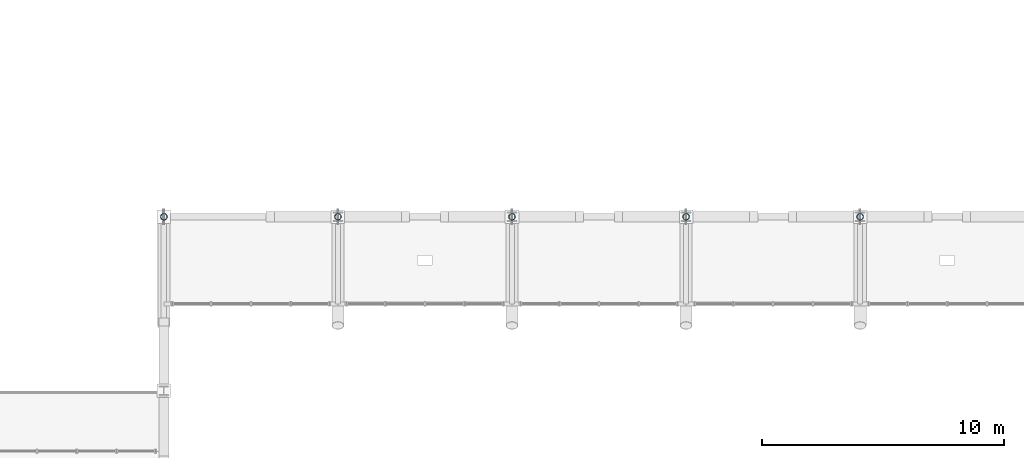
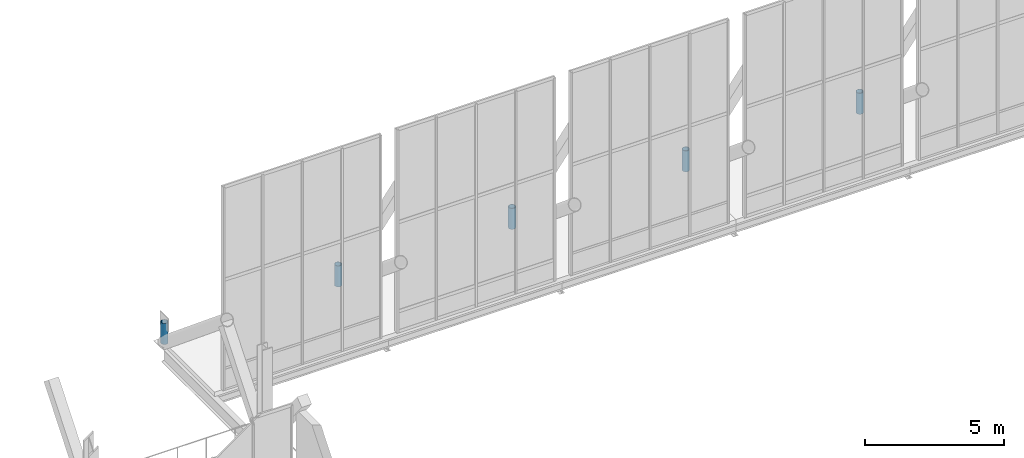
# One storey, part 70 of 102: 5 members.
"""IFC4 building model written with IfcOpenShell, lengths in metres."""

import ifcopenshell
import ifcopenshell.guid

model = None  # the IFC model being written
_history = None  # IfcOwnerHistory: only IFC2X3 demands one
_inside = {}  # id of a spatial element -> (the spatial element, [elements in it])
_under = {}  # id of a project, library or spatial element -> (it, [spatial elements below it])
_declared = {}  # id of a project -> (the project, [libraries it declares])
_typed = {}  # id of a type object -> (the type object, [elements of that type])
_made_of = {}  # id of a material, layer set ... -> (it, [elements and type objects made of it])


def new_model(schema):
    """Start an empty IFC model of exactly this schema.

    Asked for "IFC4X3", IfcOpenShell would pick the latest addendum, in which some entities
    have other attributes; the version numbers below select the first issue.
    IFC2X3 requires an IfcOwnerHistory on every rooted entity: one is made here for all.
    """
    global model, _history
    if schema == "IFC4X3":
        model = ifcopenshell.file(schema_version=(4, 3, 0, 0))
    else:
        model = ifcopenshell.file(schema=schema)
    _inside.clear()
    _under.clear()
    _declared.clear()
    _typed.clear()
    _made_of.clear()
    _history = None
    if model.schema == "IFC2X3":
        org = make("IfcOrganization", Name="unknown")
        user = make(
            "IfcPersonAndOrganization",
            ThePerson=make("IfcPerson", FamilyName="unknown"),
            TheOrganization=org,
        )
        app = make(
            "IfcApplication",
            ApplicationDeveloper=org,
            Version="unknown",
            ApplicationFullName="unknown",
            ApplicationIdentifier="unknown",
        )
        _history = make(
            "IfcOwnerHistory",
            OwningUser=user,
            OwningApplication=app,
            ChangeAction="ADDED",
            CreationDate=0,
        )
    return model


def make(cls, **values):
    """One entity of the class cls with the attributes given. An attribute that is None is left unset."""
    return model.create_entity(
        cls, **{name: value for name, value in values.items() if value is not None}
    )


def rooted(cls, **values):
    """An entity with a GlobalId (a new one), such as an element, a storey or a relation."""
    return make(cls, GlobalId=ifcopenshell.guid.new(), OwnerHistory=_history, **values)


def si_unit(unit_type, name, prefix=None):
    """IfcSIUnit, for example si_unit("LENGTHUNIT", "METRE", prefix="MILLI")."""
    return make("IfcSIUnit", UnitType=unit_type, Prefix=prefix, Name=name)


def assignment(units):
    """IfcUnitAssignment: the units of a project."""
    return None if units is None else make("IfcUnitAssignment", Units=units)


def point(xyz):
    """IfcCartesianPoint."""
    return None if xyz is None else make("IfcCartesianPoint", Coordinates=xyz)


def direction(xyz):
    """IfcDirection."""
    return None if xyz is None else make("IfcDirection", DirectionRatios=xyz)


def frame(location, z_axis=None, x_axis=None):
    """IfcAxis2Placement3D, a coordinate frame: its origin and axes. An axis left out is left unset."""
    return make(
        "IfcAxis2Placement3D",
        Location=point(location),
        Axis=direction(z_axis),
        RefDirection=direction(x_axis),
    )


def frame_2d(location, x_axis=None):
    """IfcAxis2Placement2D, a coordinate frame in the plane: its origin and x axis."""
    return make(
        "IfcAxis2Placement2D", Location=point(location), RefDirection=direction(x_axis)
    )


def origin():
    """The frame at (0, 0, 0) with its axes left unset."""
    return frame((0.0, 0.0, 0.0))


def origin_2d():
    """The frame at (0, 0) in the plane with its x axis left unset."""
    return frame_2d((0.0, 0.0))


def place(relative_to, where):
    """IfcLocalPlacement: puts the frame where relative to a parent placement (None: the world)."""
    return make(
        "IfcLocalPlacement", PlacementRelTo=relative_to, RelativePlacement=where
    )


def context(
    kind, dimensions, precision=None, world=None, true_north=None, identifier=None
):
    """IfcGeometricRepresentationContext, for example the 3D "Model" context."""
    return make(
        "IfcGeometricRepresentationContext",
        ContextIdentifier=identifier,
        ContextType=kind,
        CoordinateSpaceDimension=dimensions,
        Precision=precision,
        WorldCoordinateSystem=world,
        TrueNorth=true_north,
    )


def subcontext(parent, identifier, kind, view, scale=None):
    """IfcGeometricRepresentationSubContext, for example "Body" below "Model"."""
    return make(
        "IfcGeometricRepresentationSubContext",
        ContextIdentifier=identifier,
        ContextType=kind,
        ParentContext=parent,
        TargetScale=scale,
        TargetView=view,
    )


def project(units=None, contexts=None):
    """IfcProject with its units and contexts."""
    return rooted(
        "IfcProject",
        Name="project",
        RepresentationContexts=contexts,
        UnitsInContext=assignment(units),
    )


def spatial(cls, under=None, at=None, **own):
    """A site, building, storey or space (cls), placed at a placement, below another one or the project."""
    s = rooted(cls, ObjectPlacement=at, **own)
    if under is not None:
        _under.setdefault(under.id(), (under, []))[1].append(s)
    return s


def profile(cls, at=None, kind="AREA", **sizes):
    """A parametric profile (cls). Its sizes go by their IFC names, for example OverallWidth=200.0."""
    return make(cls, ProfileType=kind, Position=at, **sizes)


def hollow_circle(**sizes):
    """IfcCircleHollowProfileDef."""
    return profile("IfcCircleHollowProfileDef", **sizes)


def extrude(swept, where, along, depth):
    """IfcExtrudedAreaSolid: the profile swept, set in the frame where, extruded along a direction by depth."""
    return make(
        "IfcExtrudedAreaSolid",
        SweptArea=swept,
        Position=where,
        ExtrudedDirection=direction(along),
        Depth=depth,
    )


def shape(context_of_items, identifier, shape_type, items):
    """IfcShapeRepresentation: the items that make up one representation, for example the "Body"."""
    return make(
        "IfcShapeRepresentation",
        ContextOfItems=context_of_items,
        RepresentationIdentifier=identifier,
        RepresentationType=shape_type,
        Items=items,
    )


def material(Name=None, Category=None):
    """IfcMaterial."""
    return make("IfcMaterial", Name=Name, Category=Category)


def material_profile(
    of_material, cross_section, Name=None, Category=None, Priority=None
):
    """IfcMaterialProfile: a cross section and its material."""
    return make(
        "IfcMaterialProfile",
        Name=Name,
        Material=of_material,
        Profile=cross_section,
        Priority=Priority,
        Category=Category,
    )


def profile_set(profiles, Name=None, composite=None):
    """IfcMaterialProfileSet."""
    return make(
        "IfcMaterialProfileSet",
        Name=Name,
        MaterialProfiles=profiles,
        CompositeProfile=composite,
    )


def made_of(thing, what):
    """Note that an element or type object is made of a material, layer set ...; save() writes the relation."""
    if what is not None:
        _made_of.setdefault(what.id(), (what, []))[1].append(thing)
    return thing


def type_object(cls, material=None, **own):
    """A type object (cls), such as IfcWallType, which elements share."""
    return made_of(rooted(cls, **own), material)


def element(
    cls,
    number,
    at=None,
    inside=None,
    cuts=None,
    type_object=None,
    material=None,
    context=None,
    identifier="Body",
    shape_type=None,
    held_by="IfcProductDefinitionShape",
    body=None,
    shapes=None,
    **own,
):
    """One element of the class cls, such as IfcWall. Its Tag is "e" and its number.

    at: its placement. inside: the storey or other place that contains it. cuts: it is an
    opening in that element (IfcRelVoidsElement). A single representation is given by context,
    identifier, shape_type and body (its items); several are given by shapes. held_by: the class
    of the entity that holds the representations. save() writes the other relations.
    """
    e = rooted(cls, Tag="e%d" % number, ObjectPlacement=at, **own)
    if body is not None:
        shapes = [shape(context, identifier, shape_type, body)]
    if shapes is not None:
        e.Representation = make(held_by, Representations=shapes)
    if inside is not None:
        _inside.setdefault(inside.id(), (inside, []))[1].append(e)
    if cuts is not None:
        rooted(
            "IfcRelVoidsElement", RelatingBuildingElement=cuts, RelatedOpeningElement=e
        )
    if type_object is not None:
        _typed.setdefault(type_object.id(), (type_object, []))[1].append(e)
    return made_of(e, material)


def aggregate(whole, parts):
    """IfcRelAggregates: a whole, such as a stair, and the parts it consists of."""
    return rooted("IfcRelAggregates", RelatingObject=whole, RelatedObjects=parts)


def save(model, path):
    """Write the relations noted so far, then the file.

    IfcRelAggregates (storeys below a building ...), IfcRelContainedInSpatialStructure (elements
    in a storey), IfcRelDefinesByType, IfcRelAssociatesMaterial and IfcRelDeclares: one each for
    every whole, place, type object, material and project.
    """
    for whole, parts in _under.values():
        aggregate(whole, parts)
    for where, things in _inside.values():
        rooted(
            "IfcRelContainedInSpatialStructure",
            RelatedElements=things,
            RelatingStructure=where,
        )
    for kind, things in _typed.values():
        rooted("IfcRelDefinesByType", RelatedObjects=things, RelatingType=kind)
    for what, things in _made_of.values():
        rooted("IfcRelAssociatesMaterial", RelatedObjects=things, RelatingMaterial=what)
    for by, libraries in _declared.values():
        rooted("IfcRelDeclares", RelatingContext=by, RelatedDefinitions=libraries)
    model.write(path)


model = new_model("IFC4")

# Units and contexts
model_context = context("Model", 3, precision=1e-05, world=origin(), true_north=direction((0.0, 1.0)))
body_context = subcontext(model_context, "Body", "Model", "MODEL_VIEW")
ifc_project = project(units=[si_unit("LENGTHUNIT", "METRE"), si_unit("AREAUNIT", "SQUARE_METRE"), si_unit("VOLUMEUNIT", "CUBIC_METRE"), si_unit("PLANEANGLEUNIT", "RADIAN"), si_unit("MASSUNIT", "GRAM", prefix="KILO")], contexts=[model_context])

# Site, building, storey
site_placement = place(None, origin())
site = spatial("IfcSite", under=ifc_project, at=site_placement, CompositionType="ELEMENT")
building_placement = place(site_placement, origin())
building = spatial("IfcBuilding", under=site, at=building_placement, Name="Yarey Park Central Fire Station", CompositionType="ELEMENT")
storey_placement = place(building_placement, frame((0.0, 0.0, 6.0)))
storey = spatial("IfcBuildingStorey", under=building, at=storey_placement, Name="L02", CompositionType="ELEMENT", Elevation=6.0)

# Members
ifc_material = material(Name="Steel ASTM A500 Gr. C", Category="steel")
ifc_material_profile = material_profile(ifc_material, hollow_circle(Radius=0.136474609375, WallThickness=0.012451171875, at=origin_2d()), Name="CHS 273x12.5")
ifc_profile_set = profile_set([ifc_material_profile], Name="Steel ASTM A500 Gr. C")
member_type = type_object("IfcMemberType", Name="STR_WEB_CHS273", PredefinedType="BRACE", material=ifc_profile_set)
for number, where, z_axis, x_axis, name in (
    (1, (57.60009765625, 93.60009765625, 0.0), (0.0, 0.0, 1.0), (1.0, 0.0, 0.0), "Arched Roof Truss ART_01 Vertical 9"),
    (2, (64.800048828125, 93.60009765625, 0.0), (0.0, 0.0, 1.0), (1.0, 0.0, 0.0), "Arched Roof Truss ART_02 Vertical 9"),
    (3, (72.0, 93.60009765625, 0.0), (0.0, 0.0, 1.0), (1.0, 0.0, 0.0), "Arched Roof Truss ART_03 Vertical 9"),
    (4, (79.199951171875, 93.60009765625, 0.0), (0.0, 0.0, 1.0), (1.0, 0.0, 0.0), "Arched Roof Truss ART_04 Vertical 9"),
    (5, (86.39990234375, 93.60009765625, 0.0), (0.0, 0.0, 1.0), (1.0, 0.0, 0.0), "Arched Roof Truss ART_05 Vertical 9"),
):
    element("IfcMember", number, at=place(storey_placement, frame(where, z_axis=z_axis, x_axis=x_axis)), inside=storey, type_object=member_type, Name=name, PredefinedType="BRACE", context=body_context, shape_type="SweptSolid", body=[
        extrude(hollow_circle(Radius=0.136474609375, WallThickness=0.012451171875, at=origin_2d()), origin(), (0.0, 0.0, 1.0), 0.919921875),
    ])

save(model, "model.ifc")
